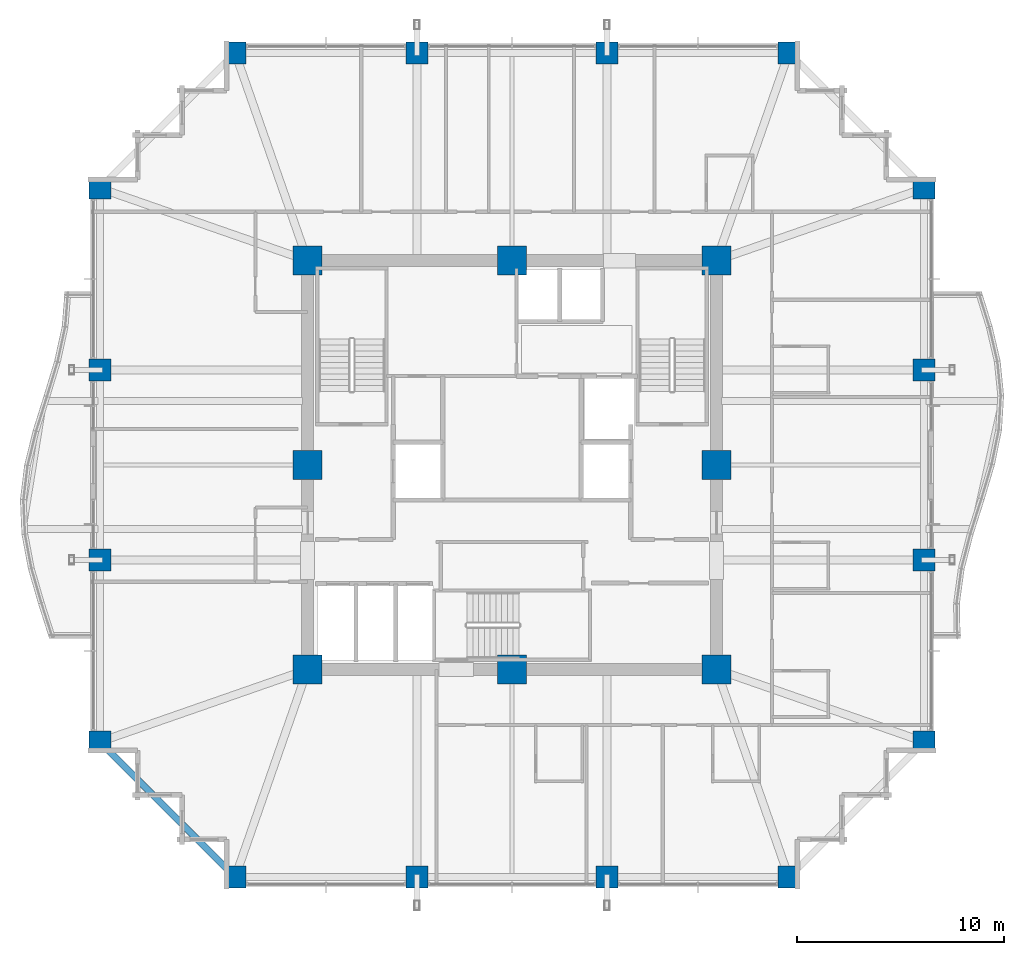
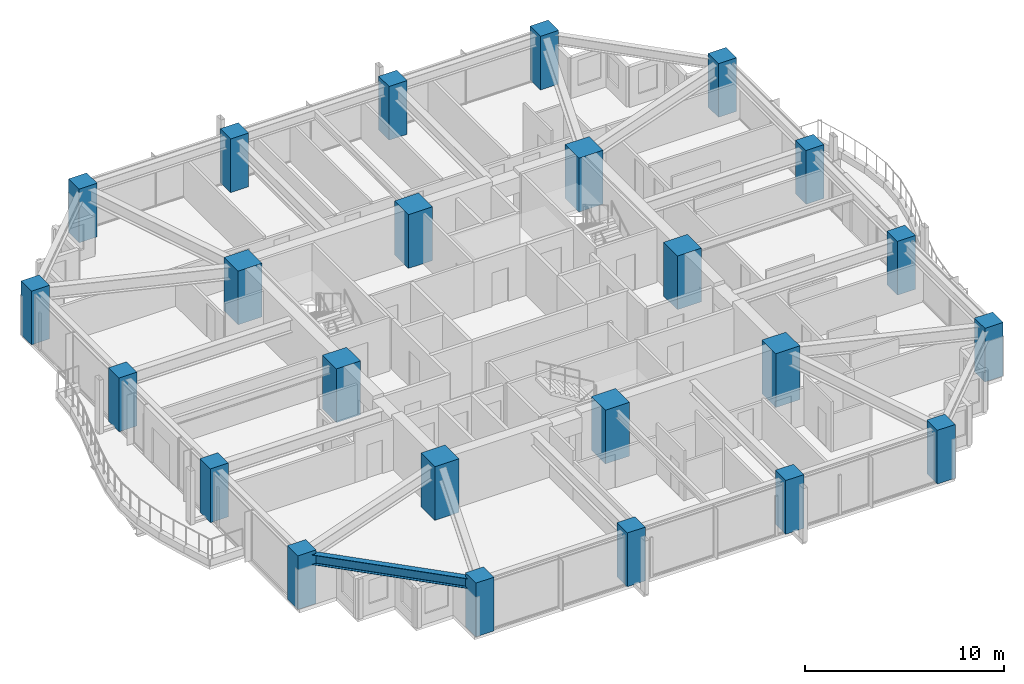
# One storey, part 1 of 37: 24 columns, 1 beam.
"""IFC4 building model written with IfcOpenShell, lengths in metres."""

from ifc_helpers import new_model, si_unit, direction, frame, origin, origin_2d, place, context, subcontext, project, spatial, rectangle, i_section, extrude, material, material_profile, profile_set, type_object, element, save


model = new_model("IFC4")

# Units and contexts
model_context = context("Model", 3, precision=1e-05, world=origin(), true_north=direction((0.0, 1.0)))
body_context = subcontext(model_context, "Body", "Model", "MODEL_VIEW")
ifc_project = project(units=[si_unit("LENGTHUNIT", "METRE"), si_unit("AREAUNIT", "SQUARE_METRE"), si_unit("VOLUMEUNIT", "CUBIC_METRE"), si_unit("PLANEANGLEUNIT", "RADIAN"), si_unit("MASSUNIT", "GRAM", prefix="KILO")], contexts=[model_context])

# Site, building, storey
site_placement = place(None, origin())
site = spatial("IfcSite", under=ifc_project, at=site_placement, CompositionType="ELEMENT")
building_placement = place(site_placement, origin())
building = spatial("IfcBuilding", under=site, at=building_placement, Name="Kolvaren Belvedere", CompositionType="ELEMENT")
storey_placement = place(building_placement, frame((0.0, 0.0, 75.5)))
storey = spatial("IfcBuildingStorey", under=building, at=storey_placement, Name="L21", CompositionType="ELEMENT", Elevation=75.5)

# Columns
ifc_material_1 = material(Name="Concrete C50/60", Category="concrete")
ifc_material_profile_1 = material_profile(ifc_material_1, rectangle(XDim=1.050048828125, YDim=1.050048828125, at=origin_2d()), Name="RC 1050X1050")
ifc_profile_set_1 = profile_set([ifc_material_profile_1], Name="Concrete C50/60")
column_type_1 = type_object("IfcColumnType", Name="COL-RC-1050", PredefinedType="COLUMN", material=ifc_profile_set_1)
for number, where, z_axis, x_axis, name in (
    (1, (-13.39990234375, -19.949951171875, 0.0), (0.0, 0.0, 1.0), (1.0, 0.0, 0.0), "L21 Perimeter Column S1"),
    (2, (-4.60009765625, -19.949951171875, 0.0), (0.0, 0.0, 1.0), (1.0, 0.0, 0.0), "L21 Perimeter Column S2"),
    (3, (4.60009765625, -19.949951171875, 0.0), (0.0, 0.0, 1.0), (1.0, 0.0, 0.0), "L21 Perimeter Column S3"),
    (4, (13.39990234375, -19.949951171875, 0.0), (0.0, 0.0, 1.0), (1.0, 0.0, 0.0), "L21 Perimeter Column S4"),
    (5, (-13.39990234375, 19.949951171875, 0.0), (0.0, 0.0, 1.0), (1.0, 0.0, 0.0), "L21 Perimeter Column N1"),
    (6, (-4.60009765625, 19.949951171875, 0.0), (0.0, 0.0, 1.0), (1.0, 0.0, 0.0), "L21 Perimeter Column N2"),
    (7, (4.60009765625, 19.949951171875, 0.0), (0.0, 0.0, 1.0), (1.0, 0.0, 0.0), "L21 Perimeter Column N3"),
    (8, (13.39990234375, 19.949951171875, 0.0), (0.0, 0.0, 1.0), (1.0, 0.0, 0.0), "L21 Perimeter Column N4"),
    (9, (-19.949951171875, -13.39990234375, 0.0), (0.0, 0.0, 1.0), (1.0, 0.0, 0.0), "L21 Perimeter Column W1"),
    (10, (-19.949951171875, -4.60009765625, 0.0), (0.0, 0.0, 1.0), (1.0, 0.0, 0.0), "L21 Perimeter Column W2"),
    (11, (-19.949951171875, 4.60009765625, 0.0), (0.0, 0.0, 1.0), (1.0, 0.0, 0.0), "L21 Perimeter Column W3"),
    (12, (-19.949951171875, 13.39990234375, 0.0), (0.0, 0.0, 1.0), (1.0, 0.0, 0.0), "L21 Perimeter Column W4"),
    (13, (19.949951171875, -13.39990234375, 0.0), (0.0, 0.0, 1.0), (1.0, 0.0, 0.0), "L21 Perimeter Column E1"),
    (14, (19.949951171875, -4.60009765625, 0.0), (0.0, 0.0, 1.0), (1.0, 0.0, 0.0), "L21 Perimeter Column E2"),
    (15, (19.949951171875, 4.60009765625, 0.0), (0.0, 0.0, 1.0), (1.0, 0.0, 0.0), "L21 Perimeter Column E3"),
    (16, (19.949951171875, 13.39990234375, 0.0), (0.0, 0.0, 1.0), (1.0, 0.0, 0.0), "L21 Perimeter Column E4"),
):
    element("IfcColumn", number, at=place(storey_placement, frame(where, z_axis=z_axis, x_axis=x_axis)), inside=storey, type_object=column_type_1, Name=name, PredefinedType="COLUMN", context=body_context, shape_type="SweptSolid", body=[
        extrude(rectangle(XDim=1.050048828125, YDim=1.050048828125, at=origin_2d()), origin(), (0.0, 0.0, 1.0), 3.300048828125),
    ])
ifc_material_2 = material(Name="Concrete C60/75", Category="concrete")
ifc_material_profile_2 = material_profile(ifc_material_2, rectangle(XDim=1.39990234375, YDim=1.39990234375, at=origin_2d()), Name="RC 1400X1400")
ifc_profile_set_2 = profile_set([ifc_material_profile_2], Name="Concrete C60/75")
column_type_2 = type_object("IfcColumnType", Name="COL-RC-1400", PredefinedType="COLUMN", material=ifc_profile_set_2)
for number, where, z_axis, x_axis, name in (
    (17, (-9.89990234375, -9.89990234375, 0.0), (0.0, 0.0, 1.0), (1.0, 0.0, 0.0), "L21 Core Column CC1"),
    (18, (9.89990234375, -9.89990234375, 0.0), (0.0, 0.0, 1.0), (1.0, 0.0, 0.0), "L21 Core Column CC2"),
    (19, (9.89990234375, 9.89990234375, 0.0), (0.0, 0.0, 1.0), (1.0, 0.0, 0.0), "L21 Core Column CC3"),
    (20, (-9.89990234375, 9.89990234375, 0.0), (0.0, 0.0, 1.0), (1.0, 0.0, 0.0), "L21 Core Column CC4"),
    (21, (0.0, -9.89990234375, 0.0), (0.0, 0.0, 1.0), (1.0, 0.0, 0.0), "L21 Core Column CM1"),
    (22, (9.89990234375, 0.0, 0.0), (0.0, 0.0, 1.0), (1.0, 0.0, 0.0), "L21 Core Column CM2"),
    (23, (0.0, 9.89990234375, 0.0), (0.0, 0.0, 1.0), (1.0, 0.0, 0.0), "L21 Core Column CM3"),
    (24, (-9.89990234375, 0.0, 0.0), (0.0, 0.0, 1.0), (1.0, 0.0, 0.0), "L21 Core Column CM4"),
):
    element("IfcColumn", number, at=place(storey_placement, frame(where, z_axis=z_axis, x_axis=x_axis)), inside=storey, type_object=column_type_2, Name=name, PredefinedType="COLUMN", context=body_context, shape_type="SweptSolid", body=[
        extrude(rectangle(XDim=1.39990234375, YDim=1.39990234375, at=origin_2d()), origin(), (0.0, 0.0, 1.0), 3.300048828125),
    ])

# Beam
ifc_material_3 = material(Name="Structural steel ASTM A992 Grade 50", Category="steel")
ifc_material_profile_3 = material_profile(ifc_material_3, i_section(OverallWidth=0.324951171875, OverallDepth=0.615966796875, WebThickness=0.013916015625, FlangeThickness=0.021484375, FilletRadius=0.02001953125, at=origin_2d()), Name="W24X117")
ifc_profile_set_3 = profile_set([ifc_material_profile_3], Name="Structural steel ASTM A992 Grade 50")
beam_type = type_object("IfcBeamType", Name="BM-SPAN-W24X117", PredefinedType="SPANDREL", material=ifc_profile_set_3)
beam_placement = place(storey_placement, frame((-19.782958984375, -13.567138671875, 2.77197265625), z_axis=(0.707106781187, -0.707106781187, 0.0), x_axis=(0.707106781187, 0.707106781187, 0.0)))
element("IfcBeam", 25, at=beam_placement, inside=storey, type_object=beam_type, Name="L21 Perimeter Spandrel W1-S1", PredefinedType="SPANDREL", context=body_context, shape_type="SweptSolid", body=[
    extrude(i_section(OverallWidth=0.324951171875, OverallDepth=0.615966796875, WebThickness=0.013916015625, FlangeThickness=0.021484375, FilletRadius=0.02001953125, at=origin_2d()), origin(), (0.0, 0.0, 1.0), 8.79052734375),
])

save(model, "model.ifc")
